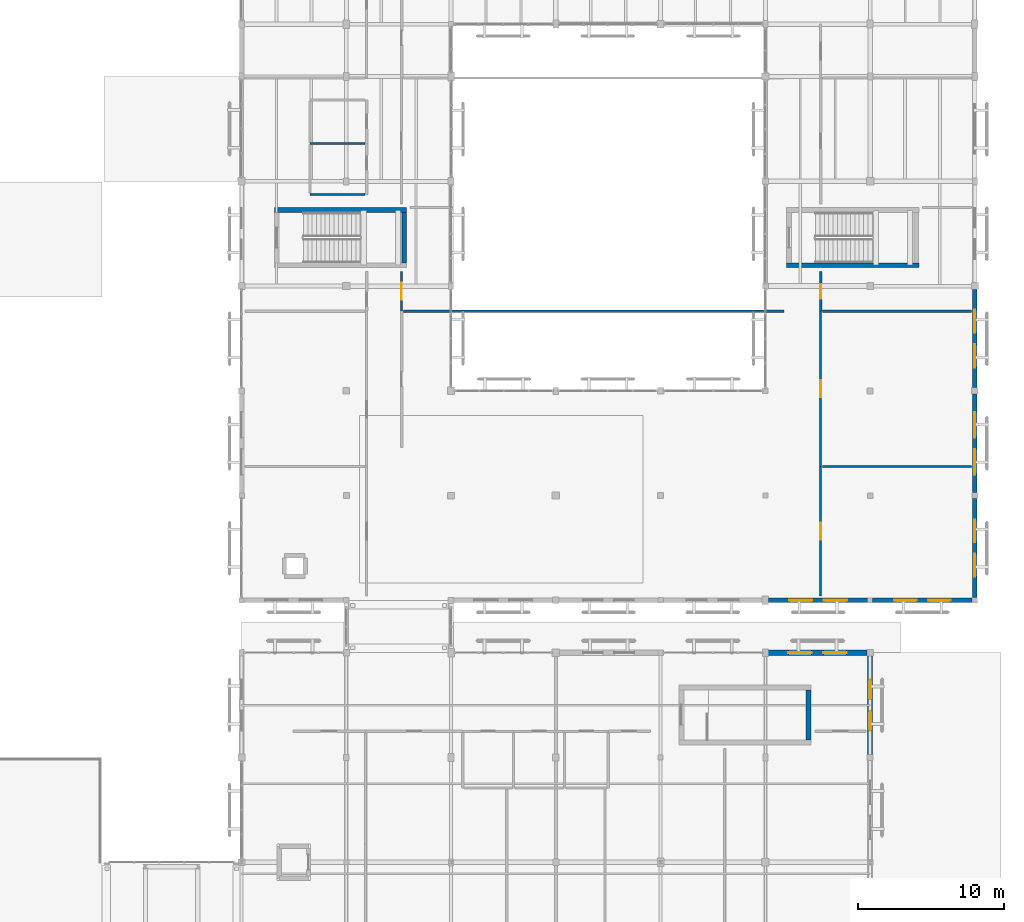
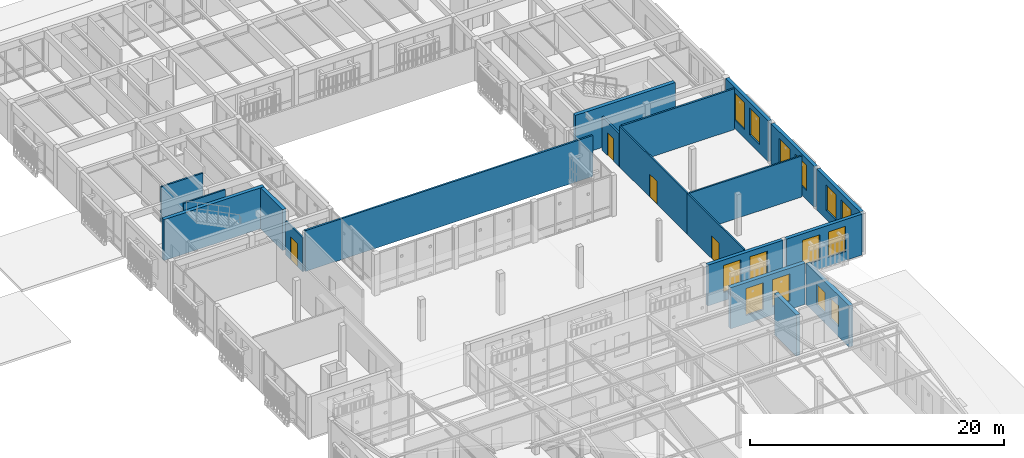
# One storey, part 88 of 112: 20 walls, 14 windows, 4 doors, 18 openings.
"""IFC4 building model written with IfcOpenShell, lengths in metres."""

from ifc_helpers import new_model, si_unit, direction, frame, frame_2d, origin, place, context, subcontext, project, spatial, rectangle, extrude, material, layer, layer_set, type_object, element, fill, save


model = new_model("IFC4")

# Units and contexts
model_context = context("Model", 3, precision=1e-05, world=origin(), true_north=direction((0.0, 1.0)))
body_context = subcontext(model_context, "Body", "Model", "MODEL_VIEW")
ifc_project = project(units=[si_unit("LENGTHUNIT", "METRE"), si_unit("AREAUNIT", "SQUARE_METRE"), si_unit("VOLUMEUNIT", "CUBIC_METRE"), si_unit("PLANEANGLEUNIT", "RADIAN"), si_unit("MASSUNIT", "GRAM", prefix="KILO")], contexts=[model_context])

# Site, building, storey
site_placement = place(None, origin())
site = spatial("IfcSite", under=ifc_project, at=site_placement, CompositionType="ELEMENT")
building_placement = place(site_placement, origin())
building = spatial("IfcBuilding", under=site, at=building_placement, Name="Mazaris Harbour Polytechnic", CompositionType="ELEMENT")
storey_placement = place(building_placement, frame((0.0, 0.0, 13.800048828125)))
storey = spatial("IfcBuildingStorey", under=building, at=storey_placement, Name="L03", CompositionType="ELEMENT", Elevation=13.800048828125)

# Wall
ifc_material_1 = material(Name="Double Gypsum and Mineral Wool")
ifc_layer_1 = layer(ifc_material_1, 0.14990234375, Name="Double Gypsum and Mineral Wool")
ifc_layer_set_1 = layer_set([ifc_layer_1], Name="Double Gypsum and Mineral Wool")
wall_type_1 = type_object("IfcWallType", Name="Classroom Acoustic Partition 150", PredefinedType="PARTITIONING", material=ifc_layer_set_1)
wall_1_placement = place(storey_placement, frame((162.320068359375, 56.0, 0.0), z_axis=(0.0, 0.0, 1.0), x_axis=(1.0, 0.0, 0.0)))
element("IfcWall", 1, at=wall_1_placement, inside=storey, type_object=wall_type_1, Name="V5 L03 Partition 653", PredefinedType="PARTITIONING", context=body_context, shape_type="SweptSolid", body=[
    extrude(rectangle(XDim=10.22998046875, YDim=0.14990234375, at=frame_2d((5.114990234375, 0.0))), origin(), (0.0, 0.0, 1.0), 3.93505859375),
])

# Wall, opening, door
ifc_material_2 = material(Name="Terracotta Block and Plaster", Category="masonry")
ifc_layer_2 = layer(ifc_material_2, 0.179931640625, Name="Terracotta Block and Plaster")
ifc_layer_set_2 = layer_set([ifc_layer_2], Name="Terracotta Block and Plaster")
wall_type_2 = type_object("IfcWallType", Name="Corridor Fire Partition 180", PredefinedType="PARTITIONING", material=ifc_layer_set_2)
wall_2_placement = place(storey_placement, frame((162.199951171875, 66.68505859375, 0.0), z_axis=(0.0, 0.0, 1.0), x_axis=(0.0, 1.0, 0.0)))
wall_2 = element("IfcWall", 2, at=wall_2_placement, inside=storey, type_object=wall_type_2, Name="V5 L03 Partition 656", PredefinedType="PARTITIONING", context=body_context, shape_type="SweptSolid", body=[
    extrude(rectangle(XDim=2.7099609375, YDim=0.179931640625, at=frame_2d((1.35498046875, 0.0))), origin(), (0.0, 0.0, 1.0), 3.195068359375),
])
opening_1_placement = place(wall_2_placement, frame((0.860107421875, 0.0, 0.0)))
opening_1 = element("IfcOpeningElement", 3, at=opening_1_placement, cuts=wall_2, Name="Opening ID-08R", PredefinedType="OPENING", context=body_context, shape_type="SweptSolid", body=[
    extrude(rectangle(XDim=0.989990234375, YDim=2.179931640625, at=frame_2d((0.4951171875, 1.08984375))), frame((0.0, 0.099853515625, 0.0), z_axis=(0.0, -1.0, 0.0), x_axis=(1.0, 0.0, 0.0)), (0.0, 0.0, 1.0), 0.199951171875),
])
ifc_material_3 = material(Name="Solid Oak Timber", Category="wood")
door_type_1 = type_object("IfcDoorType", Name="Seminar Room Door RH 990x2180", OperationType="SINGLE_SWING_RIGHT", PredefinedType="DOOR", material=ifc_material_3)
door_1_placement = place(opening_1_placement, origin())
door_1 = element("IfcDoor", 4, at=door_1_placement, inside=storey, type_object=door_type_1, Name="ID-0319", OperationType="SINGLE_SWING_RIGHT", OverallHeight=2.179931640625, OverallWidth=0.989990234375, PredefinedType="DOOR", context=body_context, shape_type="SweptSolid", body=[
    extrude(rectangle(XDim=0.989990234375, YDim=2.179931640625, at=frame_2d((0.4951171875, 1.08984375))), frame((0.0, 0.02490234375, 0.0), z_axis=(0.0, -1.0, 0.0), x_axis=(1.0, 0.0, 0.0)), (0.0, 0.0, 1.0), 0.050048828125),
])
fill(opening_1, door_1)

# Walls
ifc_material_4 = material(Name="Fireboard and Mineral Wool")
ifc_layer_3 = layer(ifc_material_4, 0.1650390625, Name="Fireboard and Mineral Wool")
ifc_layer_set_3 = layer_set([ifc_layer_3], Name="Fireboard and Mineral Wool")
wall_type_3 = type_object("IfcWallType", Name="Laboratory Rated Partition 165", PredefinedType="PARTITIONING", material=ifc_layer_set_3)
wall_3_placement = place(storey_placement, frame((133.52001953125, 66.679931640625, 0.0), z_axis=(0.0, 0.0, 1.0), x_axis=(1.0, 0.0, 0.0)))
element("IfcWall", 5, at=wall_3_placement, inside=storey, type_object=wall_type_3, Name="V5 L03 Partition 643", PredefinedType="PARTITIONING", context=body_context, shape_type="SweptSolid", body=[
    extrude(rectangle(XDim=26.159912109375, YDim=0.1650390625, at=frame_2d((13.080078125, 0.0))), origin(), (0.0, 0.0, 1.0), 3.93505859375),
])
wall_4_placement = place(storey_placement, frame((162.320068359375, 66.679931640625, 0.0), z_axis=(0.0, 0.0, 1.0), x_axis=(1.0, 0.0, 0.0)))
element("IfcWall", 6, at=wall_4_placement, inside=storey, type_object=wall_type_3, Name="V5 L03 Partition 655", PredefinedType="PARTITIONING", context=body_context, shape_type="SweptSolid", body=[
    extrude(rectangle(XDim=10.22998046875, YDim=0.1650390625, at=frame_2d((5.114990234375, 0.0))), origin(), (0.0, 0.0, 1.0), 3.93505859375),
])

# Wall, openings, windows
ifc_material_5 = material(Name="Algerian Buff Limestone and Mineral Wool", Category="masonry")
ifc_layer_4 = layer(ifc_material_5, 0.31005859375, Name="Algerian Buff Limestone and Mineral Wool")
ifc_layer_set_4 = layer_set([ifc_layer_4], Name="Algerian Buff Limestone and Mineral Wool")
wall_type_4 = type_object("IfcWallType", Name="Limestone Studio Wall 310", PredefinedType="STANDARD", material=ifc_layer_set_4)
wall_5_placement = place(storey_placement, frame((165.43798828125, 46.800048828125, 0.0), z_axis=(0.0, 0.0, 1.0), x_axis=(-1.0, 0.0, 0.0)))
wall_5 = element("IfcWall", 7, at=wall_5_placement, inside=storey, type_object=wall_type_4, Name="V5 L03 Exterior Wall 359", PredefinedType="STANDARD", context=body_context, shape_type="SweptSolid", body=[
    extrude(rectangle(XDim=6.825927734375, YDim=0.31005859375, at=frame_2d((3.4130859375, 0.0))), origin(), (0.0, 0.0, 1.0), 3.93505859375),
])
opening_2_placement = place(wall_5_placement, frame((1.4130859375, 0.0, 0.800048828125)))
opening_2 = element("IfcOpeningElement", 8, at=opening_2_placement, cuts=wall_5, Name="Opening WN-02", PredefinedType="OPENING", context=body_context, shape_type="SweptSolid", body=[
    extrude(rectangle(XDim=1.60009765625, YDim=2.60009765625, at=frame_2d((0.800048828125, 1.300048828125))), frame((0.0, 0.1650390625, 0.0), z_axis=(0.0, -1.0, 0.0), x_axis=(1.0, 0.0, 0.0)), (0.0, 0.0, 1.0), 0.330078125),
])
opening_3_placement = place(wall_5_placement, frame((3.81298828125, 0.0, 0.800048828125)))
opening_3 = element("IfcOpeningElement", 9, at=opening_3_placement, cuts=wall_5, Name="Opening WN-02", PredefinedType="OPENING", context=body_context, shape_type="SweptSolid", body=[
    extrude(rectangle(XDim=1.60009765625, YDim=2.60009765625, at=frame_2d((0.800048828125, 1.300048828125))), frame((0.0, 0.1650390625, 0.0), z_axis=(0.0, -1.0, 0.0), x_axis=(1.0, 0.0, 0.0)), (0.0, 0.0, 1.0), 0.330078125),
])
ifc_material_6 = material(Name="Thermally Broken Bronze Aluminium and Low-E Glass", Category="aluminium")
window_type_1 = type_object("IfcWindowType", Name="Neoclassical Tall Window 1600x2600", PartitioningType="DOUBLE_PANEL_VERTICAL", PredefinedType="WINDOW", material=ifc_material_6)
window_1_placement = place(opening_2_placement, origin())
window_1 = element("IfcWindow", 10, at=window_1_placement, inside=storey, type_object=window_type_1, Name="WN-0414", OverallHeight=2.60009765625, OverallWidth=1.60009765625, PartitioningType="DOUBLE_PANEL_VERTICAL", PredefinedType="WINDOW", context=body_context, shape_type="SweptSolid", body=[
    extrude(rectangle(XDim=1.60009765625, YDim=2.60009765625, at=frame_2d((0.800048828125, 1.300048828125))), frame((0.0, 0.030029296875, 0.0), z_axis=(0.0, -1.0, 0.0), x_axis=(1.0, 0.0, 0.0)), (0.0, 0.0, 1.0), 0.06005859375),
])
fill(opening_2, window_1)
window_2_placement = place(opening_3_placement, origin())
window_2 = element("IfcWindow", 11, at=window_2_placement, inside=storey, type_object=window_type_1, Name="WN-0415", OverallHeight=2.60009765625, OverallWidth=1.60009765625, PartitioningType="DOUBLE_PANEL_VERTICAL", PredefinedType="WINDOW", context=body_context, shape_type="SweptSolid", body=[
    extrude(rectangle(XDim=1.60009765625, YDim=2.60009765625, at=frame_2d((0.800048828125, 1.300048828125))), frame((0.0, 0.030029296875, 0.0), z_axis=(0.0, -1.0, 0.0), x_axis=(1.0, 0.0, 0.0)), (0.0, 0.0, 1.0), 0.06005859375),
])
fill(opening_3, window_2)

wall_6_placement = place(storey_placement, frame((172.617919921875, 46.800048828125, 0.0), z_axis=(0.0, 0.0, 1.0), x_axis=(-1.0, 0.0, 0.0)))
wall_6 = element("IfcWall", 12, at=wall_6_placement, inside=storey, type_object=wall_type_4, Name="V5 L03 Exterior Wall 360", PredefinedType="STANDARD", context=body_context, shape_type="SweptSolid", body=[
    extrude(rectangle(XDim=6.85595703125, YDim=0.31005859375, at=frame_2d((3.427978515625, 0.0))), origin(), (0.0, 0.0, 1.0), 3.93505859375),
])
opening_4_placement = place(wall_6_placement, frame((1.47802734375, 0.0, 0.85009765625)))
opening_4 = element("IfcOpeningElement", 13, at=opening_4_placement, cuts=wall_6, Name="Opening WN-26", PredefinedType="OPENING", context=body_context, shape_type="SweptSolid", body=[
    extrude(rectangle(XDim=1.550048828125, YDim=2.449951171875, at=frame_2d((0.77490234375, 1.22509765625))), frame((0.0, 0.1650390625, 0.0), z_axis=(0.0, -1.0, 0.0), x_axis=(1.0, 0.0, 0.0)), (0.0, 0.0, 1.0), 0.330078125),
])
opening_5_placement = place(wall_6_placement, frame((3.827880859375, 0.0, 0.85009765625)))
opening_5 = element("IfcOpeningElement", 14, at=opening_5_placement, cuts=wall_6, Name="Opening WN-26", PredefinedType="OPENING", context=body_context, shape_type="SweptSolid", body=[
    extrude(rectangle(XDim=1.550048828125, YDim=2.449951171875, at=frame_2d((0.77490234375, 1.22509765625))), frame((0.0, 0.1650390625, 0.0), z_axis=(0.0, -1.0, 0.0), x_axis=(1.0, 0.0, 0.0)), (0.0, 0.0, 1.0), 0.330078125),
])
ifc_material_7 = material(Name="Thermally Broken Bronze Aluminium and Low-E Glass", Category="aluminium")
window_type_2 = type_object("IfcWindowType", Name="Studio Tall Casement 1550x2450", PartitioningType="DOUBLE_PANEL_VERTICAL", PredefinedType="WINDOW", material=ifc_material_7)
window_3_placement = place(opening_4_placement, origin())
window_3 = element("IfcWindow", 15, at=window_3_placement, inside=storey, type_object=window_type_2, Name="WN-0416", OverallHeight=2.449951171875, OverallWidth=1.550048828125, PartitioningType="DOUBLE_PANEL_VERTICAL", PredefinedType="WINDOW", context=body_context, shape_type="SweptSolid", body=[
    extrude(rectangle(XDim=1.550048828125, YDim=2.449951171875, at=frame_2d((0.77490234375, 1.22509765625))), frame((0.0, 0.030029296875, 0.0), z_axis=(0.0, -1.0, 0.0), x_axis=(1.0, 0.0, 0.0)), (0.0, 0.0, 1.0), 0.06005859375),
])
fill(opening_4, window_3)
window_4_placement = place(opening_5_placement, origin())
window_4 = element("IfcWindow", 16, at=window_4_placement, inside=storey, type_object=window_type_2, Name="WN-0417", OverallHeight=2.449951171875, OverallWidth=1.550048828125, PartitioningType="DOUBLE_PANEL_VERTICAL", PredefinedType="WINDOW", context=body_context, shape_type="SweptSolid", body=[
    extrude(rectangle(XDim=1.550048828125, YDim=2.449951171875, at=frame_2d((0.77490234375, 1.22509765625))), frame((0.0, 0.030029296875, 0.0), z_axis=(0.0, -1.0, 0.0), x_axis=(1.0, 0.0, 0.0)), (0.0, 0.0, 1.0), 0.06005859375),
])
fill(opening_5, window_4)

wall_7_placement = place(storey_placement, frame((172.800048828125, 53.798095703125, 0.0), z_axis=(0.0, 0.0, 1.0), x_axis=(0.0, -1.0, 0.0)))
wall_7 = element("IfcWall", 17, at=wall_7_placement, inside=storey, type_object=wall_type_4, Name="V5 L03 Exterior Wall 368", PredefinedType="STANDARD", context=body_context, shape_type="SweptSolid", body=[
    extrude(rectangle(XDim=6.816162109375, YDim=0.31005859375, at=frame_2d((3.408203125, 0.0))), origin(), (0.0, 0.0, 1.0), 3.93505859375),
])
opening_6_placement = place(wall_7_placement, frame((1.4580078125, 0.0, 0.85009765625)))
opening_6 = element("IfcOpeningElement", 18, at=opening_6_placement, cuts=wall_7, Name="Opening WN-26", PredefinedType="OPENING", context=body_context, shape_type="SweptSolid", body=[
    extrude(rectangle(XDim=1.550048828125, YDim=2.449951171875, at=frame_2d((0.77490234375, 1.22509765625))), frame((0.0, 0.1650390625, 0.0), z_axis=(0.0, -1.0, 0.0), x_axis=(1.0, 0.0, 0.0)), (0.0, 0.0, 1.0), 0.330078125),
])
opening_7_placement = place(wall_7_placement, frame((3.80810546875, 0.0, 0.85009765625)))
opening_7 = element("IfcOpeningElement", 19, at=opening_7_placement, cuts=wall_7, Name="Opening WN-26", PredefinedType="OPENING", context=body_context, shape_type="SweptSolid", body=[
    extrude(rectangle(XDim=1.550048828125, YDim=2.449951171875, at=frame_2d((0.77490234375, 1.22509765625))), frame((0.0, 0.1650390625, 0.0), z_axis=(0.0, -1.0, 0.0), x_axis=(1.0, 0.0, 0.0)), (0.0, 0.0, 1.0), 0.330078125),
])
window_5_placement = place(opening_6_placement, origin())
window_5 = element("IfcWindow", 20, at=window_5_placement, inside=storey, type_object=window_type_2, Name="WN-0427", OverallHeight=2.449951171875, OverallWidth=1.550048828125, PartitioningType="DOUBLE_PANEL_VERTICAL", PredefinedType="WINDOW", context=body_context, shape_type="SweptSolid", body=[
    extrude(rectangle(XDim=1.550048828125, YDim=2.449951171875, at=frame_2d((0.77490234375, 1.22509765625))), frame((0.0, 0.030029296875, 0.0), z_axis=(0.0, -1.0, 0.0), x_axis=(1.0, 0.0, 0.0)), (0.0, 0.0, 1.0), 0.06005859375),
])
fill(opening_6, window_5)
window_6_placement = place(opening_7_placement, origin())
window_6 = element("IfcWindow", 21, at=window_6_placement, inside=storey, type_object=window_type_2, Name="WN-0428", OverallHeight=2.449951171875, OverallWidth=1.550048828125, PartitioningType="DOUBLE_PANEL_VERTICAL", PredefinedType="WINDOW", context=body_context, shape_type="SweptSolid", body=[
    extrude(rectangle(XDim=1.550048828125, YDim=2.449951171875, at=frame_2d((0.77490234375, 1.22509765625))), frame((0.0, 0.030029296875, 0.0), z_axis=(0.0, -1.0, 0.0), x_axis=(1.0, 0.0, 0.0)), (0.0, 0.0, 1.0), 0.06005859375),
])
fill(opening_7, window_6)

wall_8_placement = place(storey_placement, frame((172.800048828125, 60.97802734375, 0.0), z_axis=(0.0, 0.0, 1.0), x_axis=(0.0, -1.0, 0.0)))
wall_8 = element("IfcWall", 22, at=wall_8_placement, inside=storey, type_object=wall_type_4, Name="V5 L03 Exterior Wall 369", PredefinedType="STANDARD", context=body_context, shape_type="SweptSolid", body=[
    extrude(rectangle(XDim=6.776123046875, YDim=0.31005859375, at=frame_2d((3.38818359375, 0.0))), origin(), (0.0, 0.0, 1.0), 3.93505859375),
])
opening_8_placement = place(wall_8_placement, frame((1.238037109375, 0.0, 0.85009765625)))
opening_8 = element("IfcOpeningElement", 23, at=opening_8_placement, cuts=wall_8, Name="Opening WN-27", PredefinedType="OPENING", context=body_context, shape_type="SweptSolid", body=[
    extrude(rectangle(XDim=1.75, YDim=2.449951171875, at=frame_2d((0.875, 1.22509765625))), frame((0.0, 0.1650390625, 0.0), z_axis=(0.0, -1.0, 0.0), x_axis=(1.0, 0.0, 0.0)), (0.0, 0.0, 1.0), 0.330078125),
])
opening_9_placement = place(wall_8_placement, frame((3.7880859375, 0.0, 0.85009765625)))
opening_9 = element("IfcOpeningElement", 24, at=opening_9_placement, cuts=wall_8, Name="Opening WN-27", PredefinedType="OPENING", context=body_context, shape_type="SweptSolid", body=[
    extrude(rectangle(XDim=1.75, YDim=2.449951171875, at=frame_2d((0.875, 1.22509765625))), frame((0.0, 0.1650390625, 0.0), z_axis=(0.0, -1.0, 0.0), x_axis=(1.0, 0.0, 0.0)), (0.0, 0.0, 1.0), 0.330078125),
])
ifc_material_8 = material(Name="Thermally Broken Bronze Aluminium and Low-E Glass", Category="aluminium")
window_type_3 = type_object("IfcWindowType", Name="Studio Tall Casement 1750x2450", PartitioningType="DOUBLE_PANEL_VERTICAL", PredefinedType="WINDOW", material=ifc_material_8)
window_7_placement = place(opening_8_placement, origin())
window_7 = element("IfcWindow", 25, at=window_7_placement, inside=storey, type_object=window_type_3, Name="WN-0429", OverallHeight=2.449951171875, OverallWidth=1.75, PartitioningType="DOUBLE_PANEL_VERTICAL", PredefinedType="WINDOW", context=body_context, shape_type="SweptSolid", body=[
    extrude(rectangle(XDim=1.75, YDim=2.449951171875, at=frame_2d((0.875, 1.22509765625))), frame((0.0, 0.030029296875, 0.0), z_axis=(0.0, -1.0, 0.0), x_axis=(1.0, 0.0, 0.0)), (0.0, 0.0, 1.0), 0.06005859375),
])
fill(opening_8, window_7)
window_8_placement = place(opening_9_placement, origin())
window_8 = element("IfcWindow", 26, at=window_8_placement, inside=storey, type_object=window_type_3, Name="WN-0430", OverallHeight=2.449951171875, OverallWidth=1.75, PartitioningType="DOUBLE_PANEL_VERTICAL", PredefinedType="WINDOW", context=body_context, shape_type="SweptSolid", body=[
    extrude(rectangle(XDim=1.75, YDim=2.449951171875, at=frame_2d((0.875, 1.22509765625))), frame((0.0, 0.030029296875, 0.0), z_axis=(0.0, -1.0, 0.0), x_axis=(1.0, 0.0, 0.0)), (0.0, 0.0, 1.0), 0.06005859375),
])
fill(opening_9, window_8)

wall_9_placement = place(storey_placement, frame((172.800048828125, 68.157958984375, 0.0), z_axis=(0.0, 0.0, 1.0), x_axis=(0.0, -1.0, 0.0)))
wall_9 = element("IfcWall", 27, at=wall_9_placement, inside=storey, type_object=wall_type_4, Name="V5 L03 Exterior Wall 370", PredefinedType="STANDARD", context=body_context, shape_type="SweptSolid", body=[
    extrude(rectangle(XDim=6.73583984375, YDim=0.31005859375, at=frame_2d((3.367919921875, 0.0))), origin(), (0.0, 0.0, 1.0), 3.93505859375),
])
opening_10_placement = place(wall_9_placement, frame((1.367919921875, 0.0, 0.800048828125)))
opening_10 = element("IfcOpeningElement", 28, at=opening_10_placement, cuts=wall_9, Name="Opening WN-02", PredefinedType="OPENING", context=body_context, shape_type="SweptSolid", body=[
    extrude(rectangle(XDim=1.60009765625, YDim=2.60009765625, at=frame_2d((0.800048828125, 1.300048828125))), frame((0.0, 0.1650390625, 0.0), z_axis=(0.0, -1.0, 0.0), x_axis=(1.0, 0.0, 0.0)), (0.0, 0.0, 1.0), 0.330078125),
])
opening_11_placement = place(wall_9_placement, frame((3.76806640625, 0.0, 0.800048828125)))
opening_11 = element("IfcOpeningElement", 29, at=opening_11_placement, cuts=wall_9, Name="Opening WN-02", PredefinedType="OPENING", context=body_context, shape_type="SweptSolid", body=[
    extrude(rectangle(XDim=1.60009765625, YDim=2.60009765625, at=frame_2d((0.800048828125, 1.300048828125))), frame((0.0, 0.1650390625, 0.0), z_axis=(0.0, -1.0, 0.0), x_axis=(1.0, 0.0, 0.0)), (0.0, 0.0, 1.0), 0.330078125),
])
window_9_placement = place(opening_10_placement, origin())
window_9 = element("IfcWindow", 30, at=window_9_placement, inside=storey, type_object=window_type_1, Name="WN-0431", OverallHeight=2.60009765625, OverallWidth=1.60009765625, PartitioningType="DOUBLE_PANEL_VERTICAL", PredefinedType="WINDOW", context=body_context, shape_type="SweptSolid", body=[
    extrude(rectangle(XDim=1.60009765625, YDim=2.60009765625, at=frame_2d((0.800048828125, 1.300048828125))), frame((0.0, 0.030029296875, 0.0), z_axis=(0.0, -1.0, 0.0), x_axis=(1.0, 0.0, 0.0)), (0.0, 0.0, 1.0), 0.06005859375),
])
fill(opening_10, window_9)
window_10_placement = place(opening_11_placement, origin())
window_10 = element("IfcWindow", 31, at=window_10_placement, inside=storey, type_object=window_type_1, Name="WN-0432", OverallHeight=2.60009765625, OverallWidth=1.60009765625, PartitioningType="DOUBLE_PANEL_VERTICAL", PredefinedType="WINDOW", context=body_context, shape_type="SweptSolid", body=[
    extrude(rectangle(XDim=1.60009765625, YDim=2.60009765625, at=frame_2d((0.800048828125, 1.300048828125))), frame((0.0, 0.030029296875, 0.0), z_axis=(0.0, -1.0, 0.0), x_axis=(1.0, 0.0, 0.0)), (0.0, 0.0, 1.0), 0.06005859375),
])
fill(opening_11, window_10)

ifc_material_9 = material(Name="Algerian Buff Limestone and Concrete C30/37", Category="masonry")
ifc_layer_5 = layer(ifc_material_9, 0.344970703125, Name="Algerian Buff Limestone and Concrete C30/37")
ifc_layer_set_5 = layer_set([ifc_layer_5], Name="Algerian Buff Limestone and Concrete C30/37")
wall_type_5 = type_object("IfcWallType", Name="Pavilion Gable Wall 345", PredefinedType="STANDARD", material=ifc_layer_set_5)
wall_10_placement = place(storey_placement, frame((158.592041015625, 43.199951171875, 0.0), z_axis=(0.0, 0.0, 1.0), x_axis=(1.0, 0.0, 0.0)))
wall_10 = element("IfcWall", 32, at=wall_10_placement, inside=storey, type_object=wall_type_5, Name="V2 L03 Exterior Wall 90", PredefinedType="STANDARD", context=body_context, shape_type="SweptSolid", body=[
    extrude(rectangle(XDim=6.785888671875, YDim=0.344970703125, at=frame_2d((3.39306640625, 0.0))), origin(), (0.0, 0.0, 1.0), 3.9599609375),
])
opening_12_placement = place(wall_10_placement, frame((1.39306640625, 0.0, 0.800048828125)))
opening_12 = element("IfcOpeningElement", 33, at=opening_12_placement, cuts=wall_10, Name="Opening WN-02", PredefinedType="OPENING", context=body_context, shape_type="SweptSolid", body=[
    extrude(rectangle(XDim=1.60009765625, YDim=2.60009765625, at=frame_2d((0.800048828125, 1.300048828125))), frame((0.0, 0.182373046875, 0.0), z_axis=(0.0, -1.0, 0.0), x_axis=(1.0, 0.0, 0.0)), (0.0, 0.0, 1.0), 0.364990234375),
])
opening_13_placement = place(wall_10_placement, frame((3.79296875, 0.0, 0.800048828125)))
opening_13 = element("IfcOpeningElement", 34, at=opening_13_placement, cuts=wall_10, Name="Opening WN-02", PredefinedType="OPENING", context=body_context, shape_type="SweptSolid", body=[
    extrude(rectangle(XDim=1.60009765625, YDim=2.60009765625, at=frame_2d((0.800048828125, 1.300048828125))), frame((0.0, 0.182373046875, 0.0), z_axis=(0.0, -1.0, 0.0), x_axis=(1.0, 0.0, 0.0)), (0.0, 0.0, 1.0), 0.364990234375),
])
window_11_placement = place(opening_12_placement, origin())
window_11 = element("IfcWindow", 35, at=window_11_placement, inside=storey, type_object=window_type_1, Name="WN-0097", OverallHeight=2.60009765625, OverallWidth=1.60009765625, PartitioningType="DOUBLE_PANEL_VERTICAL", PredefinedType="WINDOW", context=body_context, shape_type="SweptSolid", body=[
    extrude(rectangle(XDim=1.60009765625, YDim=2.60009765625, at=frame_2d((0.800048828125, 1.300048828125))), frame((0.0, 0.030029296875, 0.0), z_axis=(0.0, -1.0, 0.0), x_axis=(1.0, 0.0, 0.0)), (0.0, 0.0, 1.0), 0.06005859375),
])
fill(opening_12, window_11)
window_12_placement = place(opening_13_placement, origin())
window_12 = element("IfcWindow", 36, at=window_12_placement, inside=storey, type_object=window_type_1, Name="WN-0098", OverallHeight=2.60009765625, OverallWidth=1.60009765625, PartitioningType="DOUBLE_PANEL_VERTICAL", PredefinedType="WINDOW", context=body_context, shape_type="SweptSolid", body=[
    extrude(rectangle(XDim=1.60009765625, YDim=2.60009765625, at=frame_2d((0.800048828125, 1.300048828125))), frame((0.0, 0.030029296875, 0.0), z_axis=(0.0, -1.0, 0.0), x_axis=(1.0, 0.0, 0.0)), (0.0, 0.0, 1.0), 0.06005859375),
])
fill(opening_13, window_12)

wall_11_placement = place(storey_placement, frame((165.60009765625, 42.97802734375, 0.0), z_axis=(0.0, 0.0, 1.0), x_axis=(0.0, -1.0, 0.0)))
wall_11 = element("IfcWall", 37, at=wall_11_placement, inside=storey, type_object=wall_type_5, Name="V2 L03 Exterior Wall 95", PredefinedType="STANDARD", context=body_context, shape_type="SweptSolid", body=[
    extrude(rectangle(XDim=6.776123046875, YDim=0.344970703125, at=frame_2d((3.38818359375, 0.0))), origin(), (0.0, 0.0, 1.0), 3.9599609375),
])
opening_14_placement = place(wall_11_placement, frame((1.637939453125, 0.0, 0.949951171875)))
opening_14 = element("IfcOpeningElement", 38, at=opening_14_placement, cuts=wall_11, Name="Opening WN-30", PredefinedType="OPENING", context=body_context, shape_type="SweptSolid", body=[
    extrude(rectangle(XDim=1.35009765625, YDim=2.0, at=frame_2d((0.675048828125, 1.0))), frame((0.0, 0.182373046875, 0.0), z_axis=(0.0, -1.0, 0.0), x_axis=(1.0, 0.0, 0.0)), (0.0, 0.0, 1.0), 0.364990234375),
])
opening_15_placement = place(wall_11_placement, frame((3.7880859375, 0.0, 0.949951171875)))
opening_15 = element("IfcOpeningElement", 39, at=opening_15_placement, cuts=wall_11, Name="Opening WN-30", PredefinedType="OPENING", context=body_context, shape_type="SweptSolid", body=[
    extrude(rectangle(XDim=1.35009765625, YDim=2.0, at=frame_2d((0.675048828125, 1.0))), frame((0.0, 0.182373046875, 0.0), z_axis=(0.0, -1.0, 0.0), x_axis=(1.0, 0.0, 0.0)), (0.0, 0.0, 1.0), 0.364990234375),
])
ifc_material_10 = material(Name="Thermally Broken Bronze Aluminium and Low-E Glass", Category="aluminium")
window_type_4 = type_object("IfcWindowType", Name="Pavilion Side Window 1350x2000", PartitioningType="DOUBLE_PANEL_VERTICAL", PredefinedType="WINDOW", material=ifc_material_10)
window_13_placement = place(opening_14_placement, origin())
window_13 = element("IfcWindow", 40, at=window_13_placement, inside=storey, type_object=window_type_4, Name="WN-0107", OverallHeight=2.0, OverallWidth=1.35009765625, PartitioningType="DOUBLE_PANEL_VERTICAL", PredefinedType="WINDOW", context=body_context, shape_type="SweptSolid", body=[
    extrude(rectangle(XDim=1.35009765625, YDim=2.0, at=frame_2d((0.675048828125, 1.0))), frame((0.0, 0.030029296875, 0.0), z_axis=(0.0, -1.0, 0.0), x_axis=(1.0, 0.0, 0.0)), (0.0, 0.0, 1.0), 0.06005859375),
])
fill(opening_14, window_13)
window_14_placement = place(opening_15_placement, origin())
window_14 = element("IfcWindow", 41, at=window_14_placement, inside=storey, type_object=window_type_4, Name="WN-0108", OverallHeight=2.0, OverallWidth=1.35009765625, PartitioningType="DOUBLE_PANEL_VERTICAL", PredefinedType="WINDOW", context=body_context, shape_type="SweptSolid", body=[
    extrude(rectangle(XDim=1.35009765625, YDim=2.0, at=frame_2d((0.675048828125, 1.0))), frame((0.0, 0.030029296875, 0.0), z_axis=(0.0, -1.0, 0.0), x_axis=(1.0, 0.0, 0.0)), (0.0, 0.0, 1.0), 0.06005859375),
])
fill(opening_15, window_14)

# Walls
ifc_material_11 = material(Name="Concrete C40/50", Category="concrete")
ifc_layer_6 = layer(ifc_material_11, 0.324951171875, Name="Concrete C40/50")
ifc_layer_set_6 = layer_set([ifc_layer_6], Name="Concrete C40/50")
wall_type_6 = type_object("IfcWallType", Name="RC Core Shear Wall 325", PredefinedType="SHEAR", material=ifc_layer_set_6)
wall_12_placement = place(storey_placement, frame((133.75, 73.625, 0.0), z_axis=(0.0, 0.0, 1.0), x_axis=(-1.0, 0.0, 0.0)))
element("IfcWall", 42, at=wall_12_placement, inside=storey, type_object=wall_type_6, Name="Core ST09 L03 Shear Wall N", PredefinedType="SHEAR", context=body_context, shape_type="SweptSolid", body=[
    extrude(rectangle(XDim=9.10009765625, YDim=0.324951171875, at=frame_2d((4.550048828125, 0.0))), origin(), (0.0, 0.0, 1.0), 3.93505859375),
])
wall_13_placement = place(storey_placement, frame((133.574951171875, 70.0, 0.0), z_axis=(0.0, 0.0, 1.0), x_axis=(0.0, 1.0, 0.0)))
element("IfcWall", 43, at=wall_13_placement, inside=storey, type_object=wall_type_6, Name="Core ST09 L03 Shear Wall E", PredefinedType="SHEAR", context=body_context, shape_type="SweptSolid", body=[
    extrude(rectangle(XDim=3.449951171875, YDim=0.324951171875, at=frame_2d((1.72509765625, 0.0))), origin(), (0.0, 0.0, 1.0), 3.93505859375),
])
wall_14_placement = place(storey_placement, frame((159.85009765625, 69.824951171875, 0.0), z_axis=(0.0, 0.0, 1.0), x_axis=(1.0, 0.0, 0.0)))
element("IfcWall", 44, at=wall_14_placement, inside=storey, type_object=wall_type_6, Name="Core ST10 L03 Shear Wall S", PredefinedType="SHEAR", context=body_context, shape_type="SweptSolid", body=[
    extrude(rectangle(XDim=9.099853515625, YDim=0.324951171875, at=frame_2d((4.5498046875, 0.0))), origin(), (0.0, 0.0, 1.0), 3.93505859375),
])
ifc_material_12 = material(Name="Concrete C40/50", Category="concrete")
ifc_layer_7 = layer(ifc_material_12, 0.35009765625, Name="Concrete C40/50")
ifc_layer_set_7 = layer_set([ifc_layer_7], Name="Concrete C40/50")
wall_type_7 = type_object("IfcWallType", Name="RC Core Shear Wall 350", PredefinedType="SHEAR", material=ifc_layer_set_7)
wall_15_placement = place(storey_placement, frame((161.375, 37.199951171875, 0.0), z_axis=(0.0, 0.0, 1.0), x_axis=(0.0, 1.0, 0.0)))
element("IfcWall", 45, at=wall_15_placement, inside=storey, type_object=wall_type_7, Name="Core ST04 L03 Shear Wall E", PredefinedType="SHEAR", context=body_context, shape_type="SweptSolid", body=[
    extrude(rectangle(XDim=3.449951171875, YDim=0.35009765625, at=frame_2d((1.72509765625, 0.0))), origin(), (0.0, 0.0, 1.0), 3.9599609375),
])
ifc_material_13 = material(Name="Moisture-Resistant Gypsum and Steel Stud", Category="steel")
ifc_layer_8 = layer(ifc_material_13, 0.14501953125, Name="Moisture-Resistant Gypsum and Steel Stud")
ifc_layer_set_8 = layer_set([ifc_layer_8], Name="Moisture-Resistant Gypsum and Steel Stud")
wall_type_8 = type_object("IfcWallType", Name="Sanitary Plumbing Wall 145", PredefinedType="PLUMBINGWALL", material=ifc_layer_set_8)
wall_16_placement = place(storey_placement, frame((127.10009765625, 74.699951171875, 0.0), z_axis=(0.0, 0.0, 1.0), x_axis=(1.0, 0.0, 0.0)))
element("IfcWall", 46, at=wall_16_placement, inside=storey, type_object=wall_type_8, Name="V5 L03 Partition 627", PredefinedType="PLUMBINGWALL", context=body_context, shape_type="SweptSolid", body=[
    extrude(rectangle(XDim=3.77978515625, YDim=0.14501953125, at=frame_2d((1.889892578125, 0.0))), origin(), (0.0, 0.0, 1.0), 3.93505859375),
])
wall_17_placement = place(storey_placement, frame((127.10009765625, 78.199951171875, 0.0), z_axis=(0.0, 0.0, 1.0), x_axis=(1.0, 0.0, 0.0)))
element("IfcWall", 47, at=wall_17_placement, inside=storey, type_object=wall_type_8, Name="V5 L03 Partition 628", PredefinedType="PLUMBINGWALL", context=body_context, shape_type="SweptSolid", body=[
    extrude(rectangle(XDim=3.77978515625, YDim=0.14501953125, at=frame_2d((1.889892578125, 0.0))), origin(), (0.0, 0.0, 1.0), 3.4150390625),
])

# Wall, opening, door
ifc_material_14 = material(Name="Gypsum Board and Mineral Wool")
ifc_layer_9 = layer(ifc_material_14, 0.135009765625, Name="Gypsum Board and Mineral Wool")
ifc_layer_set_9 = layer_set([ifc_layer_9], Name="Gypsum Board and Mineral Wool")
wall_type_9 = type_object("IfcWallType", Name="Studio Partition Wall 135", PredefinedType="PARTITIONING", material=ifc_layer_set_9)
wall_18_placement = place(storey_placement, frame((133.39990234375, 66.68505859375, 0.0), z_axis=(0.0, 0.0, 1.0), x_axis=(0.0, 1.0, 0.0)))
wall_18 = element("IfcWall", 48, at=wall_18_placement, inside=storey, type_object=wall_type_9, Name="V5 L03 Partition 644", PredefinedType="PARTITIONING", context=body_context, shape_type="SweptSolid", body=[
    extrude(rectangle(XDim=2.7099609375, YDim=0.135009765625, at=frame_2d((1.35498046875, 0.0))), origin(), (0.0, 0.0, 1.0), 3.2548828125),
])
opening_16_placement = place(wall_18_placement, frame((0.77490234375, 0.0, 0.0)))
opening_16 = element("IfcOpeningElement", 49, at=opening_16_placement, cuts=wall_18, Name="Opening ID-03R", PredefinedType="OPENING", context=body_context, shape_type="SweptSolid", body=[
    extrude(rectangle(XDim=1.159912109375, YDim=2.199951171875, at=frame_2d((0.580078125, 1.10009765625))), frame((0.0, 0.077392578125, 0.0), z_axis=(0.0, -1.0, 0.0), x_axis=(1.0, 0.0, 0.0)), (0.0, 0.0, 1.0), 0.155029296875),
])
ifc_material_15 = material(Name="Glulam Timber and Acoustic Glass", Category="wood")
door_type_2 = type_object("IfcDoorType", Name="Design Studio Door RH 1160x2200", OperationType="SINGLE_SWING_RIGHT", PredefinedType="DOOR", material=ifc_material_15)
door_2_placement = place(opening_16_placement, origin())
door_2 = element("IfcDoor", 50, at=door_2_placement, inside=storey, type_object=door_type_2, Name="ID-0313", OperationType="SINGLE_SWING_RIGHT", OverallHeight=2.199951171875, OverallWidth=1.159912109375, PredefinedType="DOOR", context=body_context, shape_type="SweptSolid", body=[
    extrude(rectangle(XDim=1.159912109375, YDim=2.199951171875, at=frame_2d((0.580078125, 1.10009765625))), frame((0.0, 0.02490234375, 0.0), z_axis=(0.0, -1.0, 0.0), x_axis=(1.0, 0.0, 0.0)), (0.0, 0.0, 1.0), 0.050048828125),
])
fill(opening_16, door_2)

wall_19_placement = place(storey_placement, frame((162.199951171875, 47.10009765625, 0.0), z_axis=(0.0, 0.0, 1.0), x_axis=(0.0, 1.0, 0.0)))
wall_19 = element("IfcWall", 51, at=wall_19_placement, inside=storey, type_object=wall_type_9, Name="V5 L03 Partition 652", PredefinedType="PARTITIONING", context=body_context, shape_type="SweptSolid", body=[
    extrude(rectangle(XDim=8.89990234375, YDim=0.135009765625, at=frame_2d((4.449951171875, 0.0))), origin(), (0.0, 0.0, 1.0), 3.93505859375),
])
opening_17_placement = place(wall_19_placement, frame((3.8701171875, 0.0, 0.0)))
opening_17 = element("IfcOpeningElement", 52, at=opening_17_placement, cuts=wall_19, Name="Opening ID-03R", PredefinedType="OPENING", context=body_context, shape_type="SweptSolid", body=[
    extrude(rectangle(XDim=1.159912109375, YDim=2.199951171875, at=frame_2d((0.580078125, 1.10009765625))), frame((0.0, 0.077392578125, 0.0), z_axis=(0.0, -1.0, 0.0), x_axis=(1.0, 0.0, 0.0)), (0.0, 0.0, 1.0), 0.155029296875),
])
door_3_placement = place(opening_17_placement, origin())
door_3 = element("IfcDoor", 53, at=door_3_placement, inside=storey, type_object=door_type_2, Name="ID-0317", OperationType="SINGLE_SWING_RIGHT", OverallHeight=2.199951171875, OverallWidth=1.159912109375, PredefinedType="DOOR", context=body_context, shape_type="SweptSolid", body=[
    extrude(rectangle(XDim=1.159912109375, YDim=2.199951171875, at=frame_2d((0.580078125, 1.10009765625))), frame((0.0, 0.02490234375, 0.0), z_axis=(0.0, -1.0, 0.0), x_axis=(1.0, 0.0, 0.0)), (0.0, 0.0, 1.0), 0.050048828125),
])
fill(opening_17, door_3)

wall_20_placement = place(storey_placement, frame((162.199951171875, 56.0048828125, 0.0), z_axis=(0.0, 0.0, 1.0), x_axis=(0.0, 1.0, 0.0)))
wall_20 = element("IfcWall", 54, at=wall_20_placement, inside=storey, type_object=wall_type_9, Name="V5 L03 Partition 654", PredefinedType="PARTITIONING", context=body_context, shape_type="SweptSolid", body=[
    extrude(rectangle(XDim=10.675048828125, YDim=0.135009765625, at=frame_2d((5.33740234375, 0.0))), origin(), (0.0, 0.0, 1.0), 3.93505859375),
])
opening_18_placement = place(wall_20_placement, frame((4.762451171875, 0.0, 0.0)))
opening_18 = element("IfcOpeningElement", 55, at=opening_18_placement, cuts=wall_20, Name="Opening ID-03L", PredefinedType="OPENING", context=body_context, shape_type="SweptSolid", body=[
    extrude(rectangle(XDim=1.14990234375, YDim=2.199951171875, at=frame_2d((0.574951171875, 1.10009765625))), frame((0.0, 0.077392578125, 0.0), z_axis=(0.0, -1.0, 0.0), x_axis=(1.0, 0.0, 0.0)), (0.0, 0.0, 1.0), 0.155029296875),
])
ifc_material_16 = material(Name="Glulam Timber and Acoustic Glass", Category="wood")
door_type_3 = type_object("IfcDoorType", Name="Design Studio Door LH 1150x2200", OperationType="SINGLE_SWING_LEFT", PredefinedType="DOOR", material=ifc_material_16)
door_4_placement = place(opening_18_placement, origin())
door_4 = element("IfcDoor", 56, at=door_4_placement, inside=storey, type_object=door_type_3, Name="ID-0318", OperationType="SINGLE_SWING_LEFT", OverallHeight=2.199951171875, OverallWidth=1.14990234375, PredefinedType="DOOR", context=body_context, shape_type="SweptSolid", body=[
    extrude(rectangle(XDim=1.14990234375, YDim=2.199951171875, at=frame_2d((0.574951171875, 1.10009765625))), frame((0.0, 0.02490234375, 0.0), z_axis=(0.0, -1.0, 0.0), x_axis=(1.0, 0.0, 0.0)), (0.0, 0.0, 1.0), 0.050048828125),
])
fill(opening_18, door_4)

save(model, "model.ifc")
